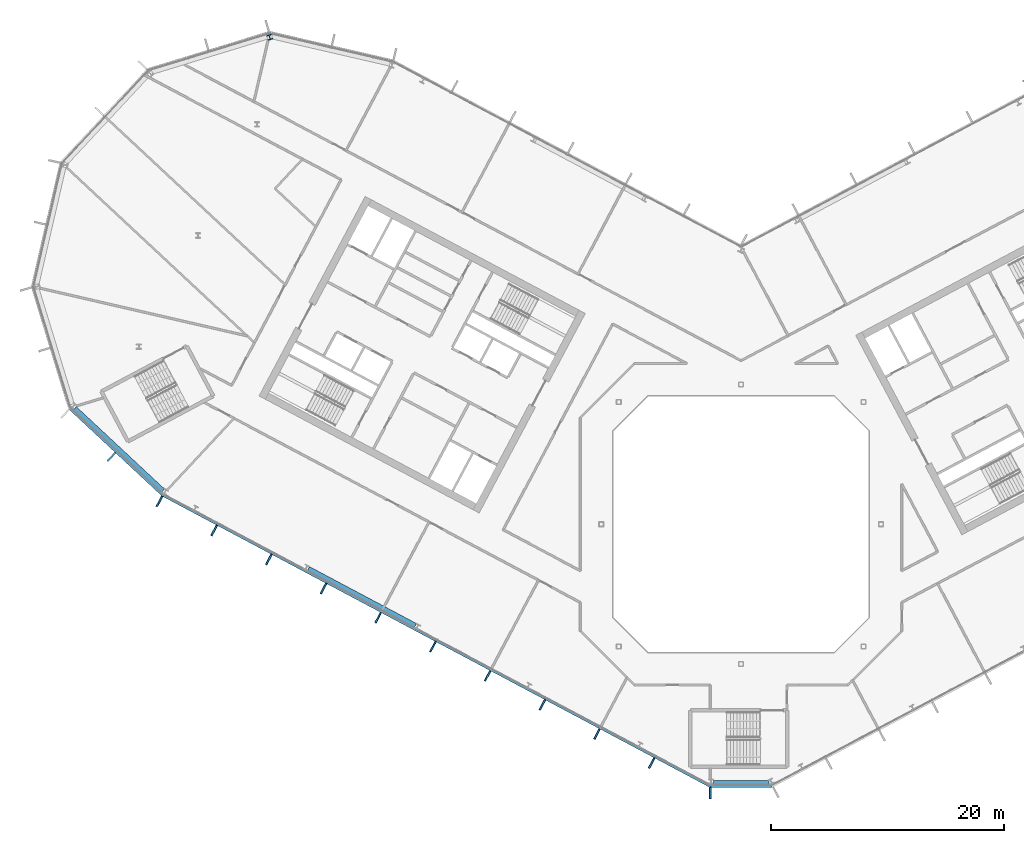
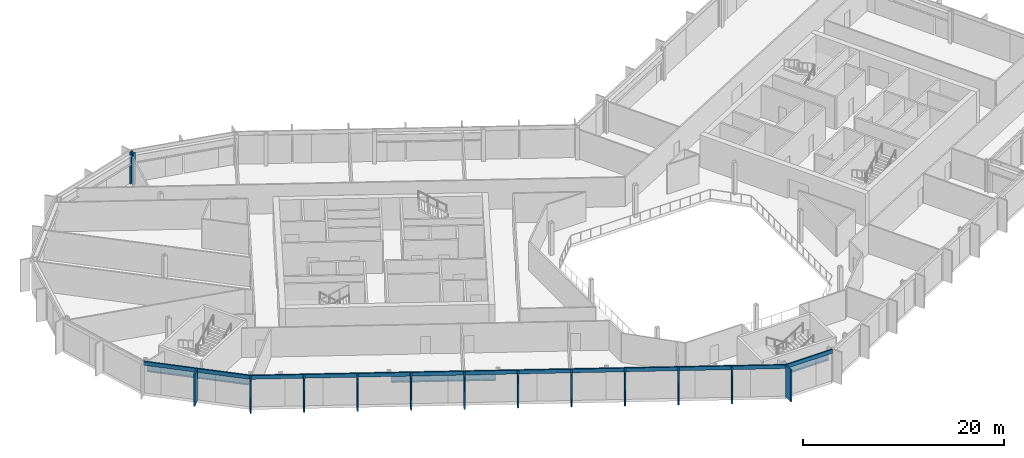
# One storey, part 8 of 26: 15 members, 3 beams, 1 column, 3 elements without a shape of their own.
"""IFC4 building model written with IfcOpenShell, lengths in metres."""

import ifcopenshell
import ifcopenshell.guid

model = None  # the IFC model being written
_history = None  # IfcOwnerHistory: only IFC2X3 demands one
_inside = {}  # id of a spatial element -> (the spatial element, [elements in it])
_under = {}  # id of a project, library or spatial element -> (it, [spatial elements below it])
_declared = {}  # id of a project -> (the project, [libraries it declares])
_typed = {}  # id of a type object -> (the type object, [elements of that type])
_made_of = {}  # id of a material, layer set ... -> (it, [elements and type objects made of it])


def new_model(schema):
    """Start an empty IFC model of exactly this schema.

    Asked for "IFC4X3", IfcOpenShell would pick the latest addendum, in which some entities
    have other attributes; the version numbers below select the first issue.
    IFC2X3 requires an IfcOwnerHistory on every rooted entity: one is made here for all.
    """
    global model, _history
    if schema == "IFC4X3":
        model = ifcopenshell.file(schema_version=(4, 3, 0, 0))
    else:
        model = ifcopenshell.file(schema=schema)
    _inside.clear()
    _under.clear()
    _declared.clear()
    _typed.clear()
    _made_of.clear()
    _history = None
    if model.schema == "IFC2X3":
        org = make("IfcOrganization", Name="unknown")
        user = make(
            "IfcPersonAndOrganization",
            ThePerson=make("IfcPerson", FamilyName="unknown"),
            TheOrganization=org,
        )
        app = make(
            "IfcApplication",
            ApplicationDeveloper=org,
            Version="unknown",
            ApplicationFullName="unknown",
            ApplicationIdentifier="unknown",
        )
        _history = make(
            "IfcOwnerHistory",
            OwningUser=user,
            OwningApplication=app,
            ChangeAction="ADDED",
            CreationDate=0,
        )
    return model


def make(cls, **values):
    """One entity of the class cls with the attributes given. An attribute that is None is left unset."""
    return model.create_entity(
        cls, **{name: value for name, value in values.items() if value is not None}
    )


def rooted(cls, **values):
    """An entity with a GlobalId (a new one), such as an element, a storey or a relation."""
    return make(cls, GlobalId=ifcopenshell.guid.new(), OwnerHistory=_history, **values)


def si_unit(unit_type, name, prefix=None):
    """IfcSIUnit, for example si_unit("LENGTHUNIT", "METRE", prefix="MILLI")."""
    return make("IfcSIUnit", UnitType=unit_type, Prefix=prefix, Name=name)


def assignment(units):
    """IfcUnitAssignment: the units of a project."""
    return None if units is None else make("IfcUnitAssignment", Units=units)


def point(xyz):
    """IfcCartesianPoint."""
    return None if xyz is None else make("IfcCartesianPoint", Coordinates=xyz)


def direction(xyz):
    """IfcDirection."""
    return None if xyz is None else make("IfcDirection", DirectionRatios=xyz)


def frame(location, z_axis=None, x_axis=None):
    """IfcAxis2Placement3D, a coordinate frame: its origin and axes. An axis left out is left unset."""
    return make(
        "IfcAxis2Placement3D",
        Location=point(location),
        Axis=direction(z_axis),
        RefDirection=direction(x_axis),
    )


def frame_2d(location, x_axis=None):
    """IfcAxis2Placement2D, a coordinate frame in the plane: its origin and x axis."""
    return make(
        "IfcAxis2Placement2D", Location=point(location), RefDirection=direction(x_axis)
    )


def origin():
    """The frame at (0, 0, 0) with its axes left unset."""
    return frame((0.0, 0.0, 0.0))


def origin_2d():
    """The frame at (0, 0) in the plane with its x axis left unset."""
    return frame_2d((0.0, 0.0))


def place(relative_to, where):
    """IfcLocalPlacement: puts the frame where relative to a parent placement (None: the world)."""
    return make(
        "IfcLocalPlacement", PlacementRelTo=relative_to, RelativePlacement=where
    )


def context(
    kind, dimensions, precision=None, world=None, true_north=None, identifier=None
):
    """IfcGeometricRepresentationContext, for example the 3D "Model" context."""
    return make(
        "IfcGeometricRepresentationContext",
        ContextIdentifier=identifier,
        ContextType=kind,
        CoordinateSpaceDimension=dimensions,
        Precision=precision,
        WorldCoordinateSystem=world,
        TrueNorth=true_north,
    )


def subcontext(parent, identifier, kind, view, scale=None):
    """IfcGeometricRepresentationSubContext, for example "Body" below "Model"."""
    return make(
        "IfcGeometricRepresentationSubContext",
        ContextIdentifier=identifier,
        ContextType=kind,
        ParentContext=parent,
        TargetScale=scale,
        TargetView=view,
    )


def project(units=None, contexts=None):
    """IfcProject with its units and contexts."""
    return rooted(
        "IfcProject",
        Name="project",
        RepresentationContexts=contexts,
        UnitsInContext=assignment(units),
    )


def spatial(cls, under=None, at=None, **own):
    """A site, building, storey or space (cls), placed at a placement, below another one or the project."""
    s = rooted(cls, ObjectPlacement=at, **own)
    if under is not None:
        _under.setdefault(under.id(), (under, []))[1].append(s)
    return s


def profile(cls, at=None, kind="AREA", **sizes):
    """A parametric profile (cls). Its sizes go by their IFC names, for example OverallWidth=200.0."""
    return make(cls, ProfileType=kind, Position=at, **sizes)


def rectangle(**sizes):
    """IfcRectangleProfileDef."""
    return profile("IfcRectangleProfileDef", **sizes)


def i_section(**sizes):
    """IfcIShapeProfileDef."""
    return profile("IfcIShapeProfileDef", **sizes)


def extrude(swept, where, along, depth):
    """IfcExtrudedAreaSolid: the profile swept, set in the frame where, extruded along a direction by depth."""
    return make(
        "IfcExtrudedAreaSolid",
        SweptArea=swept,
        Position=where,
        ExtrudedDirection=direction(along),
        Depth=depth,
    )


def shape(context_of_items, identifier, shape_type, items):
    """IfcShapeRepresentation: the items that make up one representation, for example the "Body"."""
    return make(
        "IfcShapeRepresentation",
        ContextOfItems=context_of_items,
        RepresentationIdentifier=identifier,
        RepresentationType=shape_type,
        Items=items,
    )


def material(Name=None, Category=None):
    """IfcMaterial."""
    return make("IfcMaterial", Name=Name, Category=Category)


def layer(
    of_material, thickness, ventilated=None, Name=None, Category=None, Priority=None
):
    """IfcMaterialLayer: one layer of a wall or slab, of a material (None: an air gap)."""
    return make(
        "IfcMaterialLayer",
        Material=of_material,
        LayerThickness=thickness,
        IsVentilated=ventilated,
        Name=Name,
        Category=Category,
        Priority=Priority,
    )


def layer_set(layers, Name=None):
    """IfcMaterialLayerSet."""
    return make("IfcMaterialLayerSet", MaterialLayers=layers, LayerSetName=Name)


def material_profile(
    of_material, cross_section, Name=None, Category=None, Priority=None
):
    """IfcMaterialProfile: a cross section and its material."""
    return make(
        "IfcMaterialProfile",
        Name=Name,
        Material=of_material,
        Profile=cross_section,
        Priority=Priority,
        Category=Category,
    )


def profile_set(profiles, Name=None, composite=None):
    """IfcMaterialProfileSet."""
    return make(
        "IfcMaterialProfileSet",
        Name=Name,
        MaterialProfiles=profiles,
        CompositeProfile=composite,
    )


def made_of(thing, what):
    """Note that an element or type object is made of a material, layer set ...; save() writes the relation."""
    if what is not None:
        _made_of.setdefault(what.id(), (what, []))[1].append(thing)
    return thing


def type_object(cls, material=None, **own):
    """A type object (cls), such as IfcWallType, which elements share."""
    return made_of(rooted(cls, **own), material)


def element(
    cls,
    number,
    at=None,
    inside=None,
    cuts=None,
    type_object=None,
    material=None,
    context=None,
    identifier="Body",
    shape_type=None,
    held_by="IfcProductDefinitionShape",
    body=None,
    shapes=None,
    **own,
):
    """One element of the class cls, such as IfcWall. Its Tag is "e" and its number.

    at: its placement. inside: the storey or other place that contains it. cuts: it is an
    opening in that element (IfcRelVoidsElement). A single representation is given by context,
    identifier, shape_type and body (its items); several are given by shapes. held_by: the class
    of the entity that holds the representations. save() writes the other relations.
    """
    e = rooted(cls, Tag="e%d" % number, ObjectPlacement=at, **own)
    if body is not None:
        shapes = [shape(context, identifier, shape_type, body)]
    if shapes is not None:
        e.Representation = make(held_by, Representations=shapes)
    if inside is not None:
        _inside.setdefault(inside.id(), (inside, []))[1].append(e)
    if cuts is not None:
        rooted(
            "IfcRelVoidsElement", RelatingBuildingElement=cuts, RelatedOpeningElement=e
        )
    if type_object is not None:
        _typed.setdefault(type_object.id(), (type_object, []))[1].append(e)
    return made_of(e, material)


def aggregate(whole, parts):
    """IfcRelAggregates: a whole, such as a stair, and the parts it consists of."""
    return rooted("IfcRelAggregates", RelatingObject=whole, RelatedObjects=parts)


def save(model, path):
    """Write the relations noted so far, then the file.

    IfcRelAggregates (storeys below a building ...), IfcRelContainedInSpatialStructure (elements
    in a storey), IfcRelDefinesByType, IfcRelAssociatesMaterial and IfcRelDeclares: one each for
    every whole, place, type object, material and project.
    """
    for whole, parts in _under.values():
        aggregate(whole, parts)
    for where, things in _inside.values():
        rooted(
            "IfcRelContainedInSpatialStructure",
            RelatedElements=things,
            RelatingStructure=where,
        )
    for kind, things in _typed.values():
        rooted("IfcRelDefinesByType", RelatedObjects=things, RelatingType=kind)
    for what, things in _made_of.values():
        rooted("IfcRelAssociatesMaterial", RelatedObjects=things, RelatingMaterial=what)
    for by, libraries in _declared.values():
        rooted("IfcRelDeclares", RelatingContext=by, RelatedDefinitions=libraries)
    model.write(path)


model = new_model("IFC4")

# Units and contexts
model_context = context("Model", 3, precision=1e-05, world=origin(), true_north=direction((0.0, 1.0)))
body_context = subcontext(model_context, "Body", "Model", "MODEL_VIEW")
ifc_project = project(units=[si_unit("LENGTHUNIT", "METRE"), si_unit("AREAUNIT", "SQUARE_METRE"), si_unit("VOLUMEUNIT", "CUBIC_METRE"), si_unit("PLANEANGLEUNIT", "RADIAN"), si_unit("MASSUNIT", "GRAM", prefix="KILO")], contexts=[model_context])

# Site, building, storey
site_placement = place(None, origin())
site = spatial("IfcSite", under=ifc_project, at=site_placement, CompositionType="ELEMENT")
building_placement = place(site_placement, origin())
building = spatial("IfcBuilding", under=site, at=building_placement, Name="Cormorant Relay Tower", CompositionType="ELEMENT")
storey_placement = place(building_placement, frame((0.0, 0.0, 205.199951171875)))
storey = spatial("IfcBuildingStorey", under=building, at=storey_placement, Name="L44", CompositionType="ELEMENT", Elevation=205.199951171875)

# Column
ifc_material_1 = material(Name="Steel ASTM A992 (Fy 345 MPa)", Category="steel")
ifc_material_profile_1 = material_profile(ifc_material_1, i_section(OverallWidth=0.41162109375, OverallDepth=0.434326171875, WebThickness=0.035888671875, FlangeThickness=0.057373046875, FilletRadius=0.01513671875, at=origin_2d()), Name="W360x463")
ifc_profile_set_1 = profile_set([ifc_material_profile_1], Name="Steel ASTM A992 (Fy 345 MPa)")
column_type = type_object("IfcColumnType", Name="Column W360x463", PredefinedType="COLUMN", material=ifc_profile_set_1)
column_placement = place(storey_placement, frame((-40.455078125, 41.803955078125, 0.0), z_axis=(0.0, 0.0, 1.0), x_axis=(-0.956304755963, -0.292371704723, 0.0)))
element("IfcColumn", 1, at=column_placement, inside=storey, type_object=column_type, Name="Column L44-045", PredefinedType="COLUMN", context=body_context, shape_type="SweptSolid", body=[
    extrude(i_section(OverallWidth=0.41162109375, OverallDepth=0.434326171875, WebThickness=0.035888671875, FlangeThickness=0.057373046875, FilletRadius=0.01513671875, at=origin_2d()), origin(), (0.0, 0.0, 1.0), 3.900146484375),
])

# Curtain wall, member
ifc_material_2 = material(Name="Aluminium 6063-T6 anodised bronze", Category="aluminium")
ifc_layer = layer(ifc_material_2, 0.199951171875)
ifc_layer_set = layer_set([ifc_layer], Name="CW1 unitised bronze curtain wall with vertical fins")
curtain_wall_type = type_object("IfcCurtainWallType", Name="CW1 unitised bronze curtain wall with vertical fins", PredefinedType="NOTDEFINED", material=ifc_layer_set)
curtain_wall_1_placement = place(storey_placement, origin())
curtain_wall_1 = element("IfcCurtainWall", 2, at=curtain_wall_1_placement, inside=storey, type_object=curtain_wall_type, Name="CW1 curtain wall 1", PredefinedType="NOTDEFINED")
ifc_material_3 = material(Name="Aluminium 6063-T6 anodised bronze", Category="aluminium")
ifc_material_profile_2 = material_profile(ifc_material_3, rectangle(XDim=0.14990234375, YDim=1.0, at=origin_2d()), Name="AL 150x1000")
ifc_profile_set_2 = profile_set([ifc_material_profile_2], Name="Aluminium 6063-T6 anodised bronze")
member_type_1 = type_object("IfcMemberType", Name="CW1 bronze fin mullion 150 x 1000", PredefinedType="MULLION", material=ifc_profile_set_2)
member_1_placement = place(storey_placement, frame((-2.648681640625, -23.07568359375, 0.0), z_axis=(0.0, 0.0, 1.0), x_axis=(1.0, 0.0, 0.0)))
member_1 = element("IfcMember", 3, at=member_1_placement, type_object=member_type_1, Name="CW1 fin 1.1", PredefinedType="MULLION", context=body_context, shape_type="SweptSolid", body=[
    extrude(rectangle(XDim=0.14990234375, YDim=1.0, at=origin_2d()), origin(), (0.0, 0.0, 1.0), 3.900146484375),
])

curtain_wall_2_placement = place(storey_placement, origin())
curtain_wall_2 = element("IfcCurtainWall", 4, at=curtain_wall_2_placement, inside=storey, type_object=curtain_wall_type, Name="CW1 curtain wall 15", PredefinedType="NOTDEFINED")
member_2_placement = place(storey_placement, frame((-54.0439453125, 5.779296875, 0.0), z_axis=(0.0, 0.0, 1.0), x_axis=(0.731353701619, -0.681998360062, 0.0)))
member_2 = element("IfcMember", 5, at=member_2_placement, type_object=member_type_1, Name="CW1 fin 15.2", PredefinedType="MULLION", context=body_context, shape_type="SweptSolid", body=[
    extrude(rectangle(XDim=0.14990234375, YDim=1.0, at=origin_2d()), origin(), (0.0, 0.0, 1.0), 3.900146484375),
])

# Curtain wall, members
curtain_wall_3_placement = place(storey_placement, origin())
curtain_wall_3 = element("IfcCurtainWall", 6, at=curtain_wall_3_placement, inside=storey, type_object=curtain_wall_type, Name="CW1 curtain wall 16", PredefinedType="NOTDEFINED")
member_3_placement = place(storey_placement, frame((-49.920166015625, 1.96630859375, 0.0), z_axis=(0.0, 0.0, 1.0), x_axis=(0.882947592859, -0.469471562786, 0.0)))
member_3 = element("IfcMember", 7, at=member_3_placement, type_object=member_type_1, Name="CW1 fin 16.1", PredefinedType="MULLION", context=body_context, shape_type="SweptSolid", body=[
    extrude(rectangle(XDim=0.14990234375, YDim=1.0, at=origin_2d()), origin(), (0.0, 0.0, 1.0), 3.900146484375),
])
member_4_placement = place(storey_placement, frame((-45.225830078125, -0.52978515625, 0.0), z_axis=(0.0, 0.0, 1.0), x_axis=(0.882947592859, -0.469471562786, 0.0)))
member_4 = element("IfcMember", 8, at=member_4_placement, type_object=member_type_1, Name="CW1 fin 16.2", PredefinedType="MULLION", context=body_context, shape_type="SweptSolid", body=[
    extrude(rectangle(XDim=0.14990234375, YDim=1.0, at=origin_2d()), origin(), (0.0, 0.0, 1.0), 3.900146484375),
])
member_5_placement = place(storey_placement, frame((-40.531494140625, -3.025634765625, 0.0), z_axis=(0.0, 0.0, 1.0), x_axis=(0.882947592859, -0.469471562786, 0.0)))
member_5 = element("IfcMember", 9, at=member_5_placement, type_object=member_type_1, Name="CW1 fin 16.3", PredefinedType="MULLION", context=body_context, shape_type="SweptSolid", body=[
    extrude(rectangle(XDim=0.14990234375, YDim=1.0, at=origin_2d()), origin(), (0.0, 0.0, 1.0), 3.900146484375),
])
member_6_placement = place(storey_placement, frame((-35.83740234375, -5.521728515625, 0.0), z_axis=(0.0, 0.0, 1.0), x_axis=(0.882947592859, -0.469471562786, 0.0)))
member_6 = element("IfcMember", 10, at=member_6_placement, type_object=member_type_1, Name="CW1 fin 16.4", PredefinedType="MULLION", context=body_context, shape_type="SweptSolid", body=[
    extrude(rectangle(XDim=0.14990234375, YDim=1.0, at=origin_2d()), origin(), (0.0, 0.0, 1.0), 3.900146484375),
])
member_7_placement = place(storey_placement, frame((-31.14306640625, -8.017578125, 0.0), z_axis=(0.0, 0.0, 1.0), x_axis=(0.882947592859, -0.469471562786, 0.0)))
member_7 = element("IfcMember", 11, at=member_7_placement, type_object=member_type_1, Name="CW1 fin 16.5", PredefinedType="MULLION", context=body_context, shape_type="SweptSolid", body=[
    extrude(rectangle(XDim=0.14990234375, YDim=1.0, at=origin_2d()), origin(), (0.0, 0.0, 1.0), 3.900146484375),
])
member_8_placement = place(storey_placement, frame((-26.44873046875, -10.513671875, 0.0), z_axis=(0.0, 0.0, 1.0), x_axis=(0.882947592859, -0.469471562786, 0.0)))
member_8 = element("IfcMember", 12, at=member_8_placement, type_object=member_type_1, Name="CW1 fin 16.6", PredefinedType="MULLION", context=body_context, shape_type="SweptSolid", body=[
    extrude(rectangle(XDim=0.14990234375, YDim=1.0, at=origin_2d()), origin(), (0.0, 0.0, 1.0), 3.900146484375),
])
member_9_placement = place(storey_placement, frame((-21.754638671875, -13.009765625, 0.0), z_axis=(0.0, 0.0, 1.0), x_axis=(0.882947592859, -0.469471562786, 0.0)))
member_9 = element("IfcMember", 13, at=member_9_placement, type_object=member_type_1, Name="CW1 fin 16.7", PredefinedType="MULLION", context=body_context, shape_type="SweptSolid", body=[
    extrude(rectangle(XDim=0.14990234375, YDim=1.0, at=origin_2d()), origin(), (0.0, 0.0, 1.0), 3.900146484375),
])
member_10_placement = place(storey_placement, frame((-17.060302734375, -15.505615234375, 0.0), z_axis=(0.0, 0.0, 1.0), x_axis=(0.882947592859, -0.469471562786, 0.0)))
member_10 = element("IfcMember", 14, at=member_10_placement, type_object=member_type_1, Name="CW1 fin 16.8", PredefinedType="MULLION", context=body_context, shape_type="SweptSolid", body=[
    extrude(rectangle(XDim=0.14990234375, YDim=1.0, at=origin_2d()), origin(), (0.0, 0.0, 1.0), 3.900146484375),
])
member_11_placement = place(storey_placement, frame((-12.365966796875, -18.001708984375, 0.0), z_axis=(0.0, 0.0, 1.0), x_axis=(0.882947592859, -0.469471562786, 0.0)))
member_11 = element("IfcMember", 15, at=member_11_placement, type_object=member_type_1, Name="CW1 fin 16.9", PredefinedType="MULLION", context=body_context, shape_type="SweptSolid", body=[
    extrude(rectangle(XDim=0.14990234375, YDim=1.0, at=origin_2d()), origin(), (0.0, 0.0, 1.0), 3.900146484375),
])
member_12_placement = place(storey_placement, frame((-7.671630859375, -20.49755859375, 0.0), z_axis=(0.0, 0.0, 1.0), x_axis=(0.882947592859, -0.469471562786, 0.0)))
member_12 = element("IfcMember", 16, at=member_12_placement, type_object=member_type_1, Name="CW1 fin 16.10", PredefinedType="MULLION", context=body_context, shape_type="SweptSolid", body=[
    extrude(rectangle(XDim=0.14990234375, YDim=1.0, at=origin_2d()), origin(), (0.0, 0.0, 1.0), 3.900146484375),
])

# Member
ifc_material_4 = material(Name="Aluminium 6063-T6 anodised bronze", Category="aluminium")
ifc_material_profile_3 = material_profile(ifc_material_4, rectangle(XDim=0.159912109375, YDim=0.449951171875, at=origin_2d()), Name="AL 160x450")
ifc_profile_set_3 = profile_set([ifc_material_profile_3], Name="Aluminium 6063-T6 anodised bronze")
member_type_2 = type_object("IfcMemberType", Name="CW1 bronze transom 160 x 450", PredefinedType="USERDEFINED", material=ifc_profile_set_3)
member_13_placement = place(storey_placement, frame((-2.648681640625, -22.49560546875, 3.675048828125), z_axis=(1.0, 0.0, 0.0), x_axis=(0.0, 1.0, 0.0)))
member_13 = element("IfcMember", 17, at=member_13_placement, type_object=member_type_2, Name="CW1 transom 1", ObjectType="TRANSOM", PredefinedType="USERDEFINED", context=body_context, shape_type="SweptSolid", body=[
    extrude(rectangle(XDim=0.159912109375, YDim=0.449951171875, at=origin_2d()), origin(), (0.0, 0.0, 1.0), 5.29736328125),
])

aggregate(curtain_wall_1, [member_1, member_13])

member_14_placement = place(storey_placement, frame((-57.62353515625, 9.91015625, 3.675048828125), z_axis=(0.731358420696, -0.681993299437, 0.0), x_axis=(0.681993299437, 0.731358420696, 0.0)))
member_14 = element("IfcMember", 18, at=member_14_placement, type_object=member_type_2, Name="CW1 transom 15", ObjectType="TRANSOM", PredefinedType="USERDEFINED", context=body_context, shape_type="SweptSolid", body=[
    extrude(rectangle(XDim=0.159912109375, YDim=0.449951171875, at=origin_2d()), origin(), (0.0, 0.0, 1.0), 10.870361328125),
])

aggregate(curtain_wall_2, [member_2, member_14])

member_15_placement = place(storey_placement, frame((-49.64794921875, 2.478515625, 3.675048828125), z_axis=(0.882947642542, -0.469471469346, 0.0), x_axis=(0.469471469346, 0.882947642542, 0.0)))
member_15 = element("IfcMember", 19, at=member_15_placement, type_object=member_type_2, Name="CW1 transom 16", ObjectType="TRANSOM", PredefinedType="USERDEFINED", context=body_context, shape_type="SweptSolid", body=[
    extrude(rectangle(XDim=0.159912109375, YDim=0.449951171875, at=origin_2d()), origin(), (0.0, 0.0, 1.0), 53.166015625),
])

aggregate(curtain_wall_3, [member_3, member_4, member_5, member_6, member_7, member_8, member_9, member_10, member_11, member_12, member_15])

# Beams
ifc_material_5 = material(Name="Steel ASTM A992 (Fy 345 MPa)", Category="steel")
ifc_material_profile_4 = material_profile(ifc_material_5, i_section(OverallWidth=0.4013671875, OverallDepth=0.990478515625, WebThickness=0.0166015625, FlangeThickness=0.031005859375, FilletRadius=0.030029296875, at=origin_2d()), Name="W1000x320")
ifc_profile_set_4 = profile_set([ifc_material_profile_4], Name="Steel ASTM A992 (Fy 345 MPa)")
beam_type = type_object("IfcBeamType", Name="Spandrel W1000x320", PredefinedType="SPANDREL", material=ifc_profile_set_4)
beam_1_placement = place(storey_placement, frame((-2.3701171875, -22.1748046875, 3.044677734375), z_axis=(1.0, 0.0, 0.0), x_axis=(0.0, 1.0, 0.0)))
element("IfcBeam", 20, at=beam_1_placement, inside=storey, type_object=beam_type, Name="Spandrel beam L44-001", PredefinedType="SPANDREL", context=body_context, shape_type="SweptSolid", body=[
    extrude(i_section(OverallWidth=0.4013671875, OverallDepth=0.990478515625, WebThickness=0.0166015625, FlangeThickness=0.031005859375, FilletRadius=0.030029296875, at=origin_2d()), origin(), (0.0, 0.0, 1.0), 4.761474609375),
])
beam_2_placement = place(storey_placement, frame((-57.19580078125, 9.94970703125, 3.044677734375), z_axis=(0.731351589689, -0.682000624824, 0.0), x_axis=(0.682000624824, 0.731351589689, 0.0)))
element("IfcBeam", 21, at=beam_2_placement, inside=storey, type_object=beam_type, Name="Spandrel beam L44-015", PredefinedType="SPANDREL", context=body_context, shape_type="SweptSolid", body=[
    extrude(i_section(OverallWidth=0.4013671875, OverallDepth=0.990478515625, WebThickness=0.0166015625, FlangeThickness=0.031005859375, FilletRadius=0.030029296875, at=origin_2d()), origin(), (0.0, 0.0, 1.0), 10.354248046875),
])
beam_3_placement = place(storey_placement, frame((-37.134033203125, -3.812255859375, 3.044677734375), z_axis=(0.882949648898, -0.469467695918, 0.0), x_axis=(0.469467695918, 0.882949648898, 0.0)))
element("IfcBeam", 22, at=beam_3_placement, inside=storey, type_object=beam_type, Name="Spandrel beam L44-016", PredefinedType="SPANDREL", context=body_context, shape_type="SweptSolid", body=[
    extrude(i_section(OverallWidth=0.4013671875, OverallDepth=0.990478515625, WebThickness=0.0166015625, FlangeThickness=0.031005859375, FilletRadius=0.030029296875, at=origin_2d()), origin(), (0.0, 0.0, 1.0), 10.39599609375),
])

save(model, "model.ifc")
